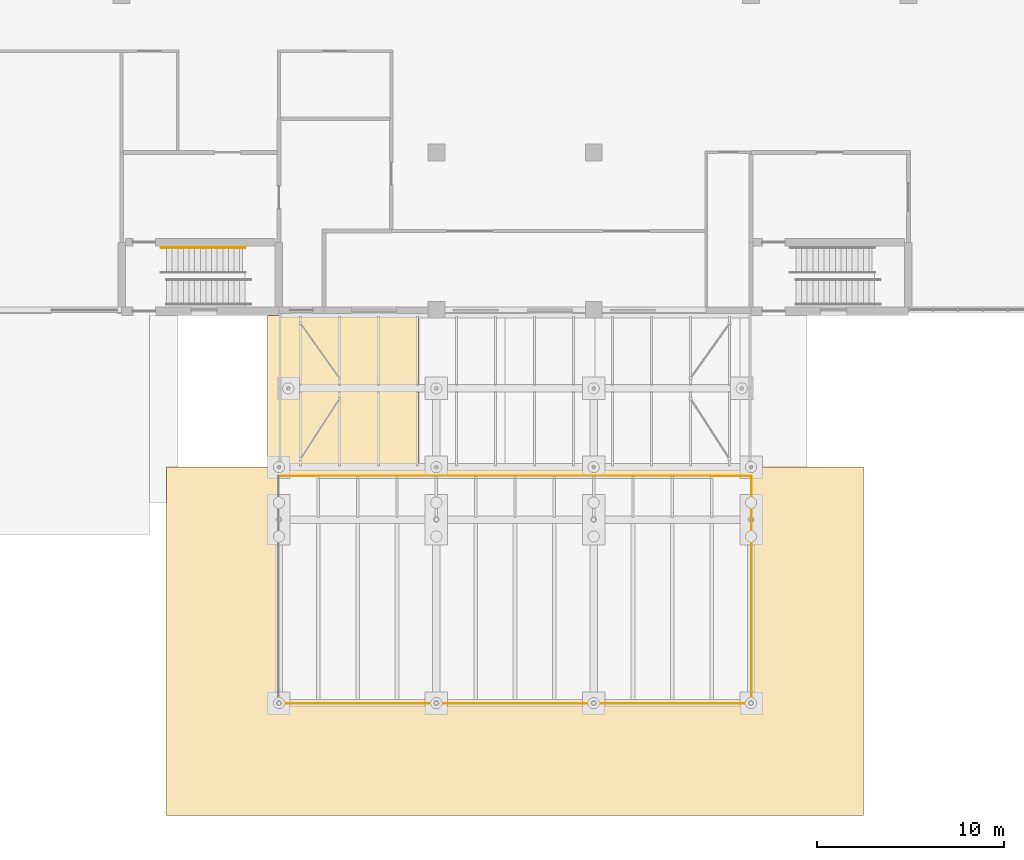
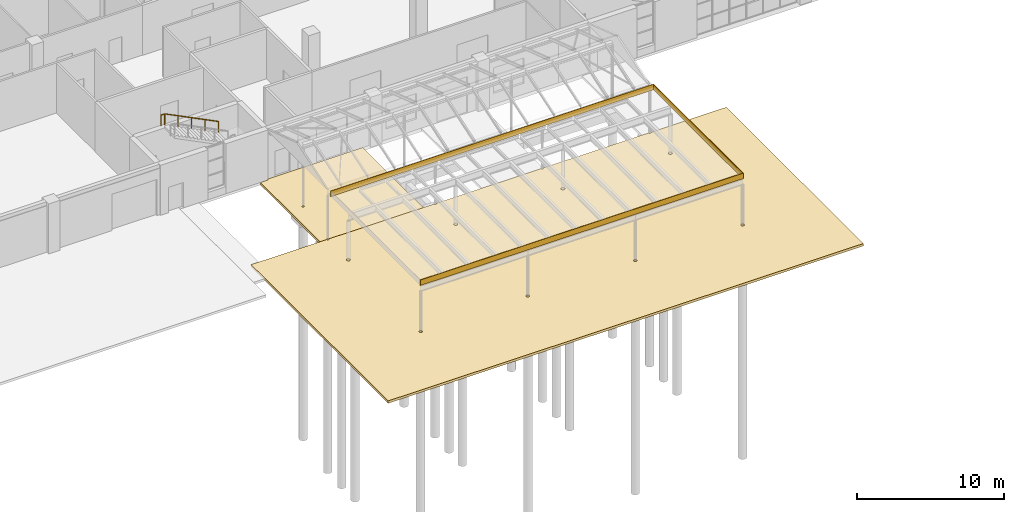
# One storey, part 132 of 138: 5 coverings, 1 railing.
"""IFC4 building model written with IfcOpenShell, lengths in metres."""

from ifc_helpers import new_model, si_unit, direction, frame, origin, origin_2d, place, context, subcontext, project, spatial, polyline, circle, outline, extrude, material, layer, layer_set, type_object, element, save


model = new_model("IFC4")

# Units and contexts
model_context = context("Model", 3, precision=1e-05, world=origin(), true_north=direction((0.0, 1.0)))
body_context = subcontext(model_context, "Body", "Model", "MODEL_VIEW")
ifc_project = project(units=[si_unit("LENGTHUNIT", "METRE"), si_unit("AREAUNIT", "SQUARE_METRE"), si_unit("VOLUMEUNIT", "CUBIC_METRE"), si_unit("PLANEANGLEUNIT", "RADIAN"), si_unit("MASSUNIT", "GRAM", prefix="KILO")], contexts=[model_context])

# Site, building, storey
site_placement = place(None, origin())
site = spatial("IfcSite", under=ifc_project, at=site_placement, CompositionType="ELEMENT")
building_placement = place(site_placement, origin())
building = spatial("IfcBuilding", under=site, at=building_placement, Name="Yavir Park General Hospital", CompositionType="ELEMENT")
storey_placement = place(building_placement, origin())
storey = spatial("IfcBuildingStorey", under=building, at=storey_placement, Name="L00", CompositionType="ELEMENT", Elevation=0.0)

# Coverings
ifc_material_1 = material(Name="Aluminium composite cladding", Category="aluminium")
ifc_layer_1 = layer(ifc_material_1, 0.0400390625)
ifc_layer_set_1 = layer_set([ifc_layer_1], Name="Aluminium composite cladding")
covering_type_1 = type_object("IfcCoveringType", Name="Canopy fascia 40", PredefinedType="CLADDING", material=ifc_layer_set_1)
covering_1_placement = place(storey_placement, frame((0.0, 0.0, 3.85009765625)))
element("IfcCovering", 1, at=covering_1_placement, inside=storey, type_object=covering_type_1, Name="Canopy fascia DROP S", PredefinedType="CLADDING", context=body_context, shape_type="SweptSolid", body=[
    extrude(outline(polyline([(75.56005859375, -21.0400390625), (100.840087890625, -21.0400390625), (100.840087890625, -21.0), (75.56005859375, -21.0), (75.56005859375, -21.0400390625)])), origin(), (0.0, 0.0, 1.0), 0.449951171875),
])
covering_2_placement = place(storey_placement, frame((0.0, 0.0, 3.85009765625)))
element("IfcCovering", 2, at=covering_2_placement, inside=storey, type_object=covering_type_1, Name="Canopy fascia DROP N", PredefinedType="CLADDING", context=body_context, shape_type="SweptSolid", body=[
    extrude(outline(polyline([(75.56005859375, -8.89990234375), (100.840087890625, -8.89990234375), (100.840087890625, -8.860107421875), (75.56005859375, -8.860107421875), (75.56005859375, -8.89990234375)])), origin(), (0.0, 0.0, 1.0), 0.449951171875),
])
covering_3_placement = place(storey_placement, frame((0.0, 0.0, 3.85009765625)))
element("IfcCovering", 3, at=covering_3_placement, inside=storey, type_object=covering_type_1, Name="Canopy fascia DROP E", PredefinedType="CLADDING", context=body_context, shape_type="SweptSolid", body=[
    extrude(outline(polyline([(100.800048828125, -21.0), (100.840087890625, -21.0), (100.840087890625, -8.89990234375), (100.800048828125, -8.89990234375), (100.800048828125, -21.0)])), origin(), (0.0, 0.0, 1.0), 0.449951171875),
])
ifc_material_2 = material(Name="Precast paving flags on a compacted sub-base", Category="concrete")
ifc_layer_2 = layer(ifc_material_2, 0.199951171875)
ifc_layer_set_2 = layer_set([ifc_layer_2], Name="Precast paving flags on a compacted sub-base")
covering_type_2 = type_object("IfcCoveringType", Name="External paving 200", PredefinedType="FLOORING", material=ifc_layer_set_2)
covering_4_placement = place(storey_placement, frame((0.0, 0.0, -0.199951171875)))
element("IfcCovering", 4, at=covering_4_placement, inside=storey, type_object=covering_type_2, Name="Apron DO under the drop-off canopy", PredefinedType="FLOORING", context=body_context, shape_type="SweptSolid", body=[
    extrude(outline(polyline([(69.60009765625, -27.0), (69.60009765625, -8.39990234375), (75.515869140625, -8.39990234375), (75.516357421875, -8.408203125), (75.517578125, -8.41650390625), (75.51953125, -8.42431640625), (75.522216796875, -8.43212890625), (75.52587890625, -8.439697265625), (75.530029296875, -8.44677734375), (75.534912109375, -8.453369140625), (75.54052734375, -8.45947265625), (75.546630859375, -8.465087890625), (75.55322265625, -8.469970703125), (75.560302734375, -8.47412109375), (75.56787109375, -8.477783203125), (75.57568359375, -8.48046875), (75.58349609375, -8.482421875), (75.591796875, -8.483642578125), (75.60009765625, -8.484130859375), (75.608154296875, -8.483642578125), (75.616455078125, -8.482421875), (75.62451171875, -8.48046875), (75.632080078125, -8.477783203125), (75.6396484375, -8.47412109375), (75.646728515625, -8.469970703125), (75.6533203125, -8.465087890625), (75.659423828125, -8.45947265625), (75.6650390625, -8.453369140625), (75.669921875, -8.44677734375), (75.67431640625, -8.439697265625), (75.677734375, -8.43212890625), (75.680419921875, -8.42431640625), (75.6826171875, -8.41650390625), (75.68359375, -8.408203125), (75.68408203125, -8.39990234375), (83.916015625, -8.39990234375), (83.916259765625, -8.408203125), (83.91748046875, -8.41650390625), (83.91943359375, -8.42431640625), (83.92236328125, -8.43212890625), (83.92578125, -8.439697265625), (83.929931640625, -8.44677734375), (83.93505859375, -8.453369140625), (83.9404296875, -8.45947265625), (83.946533203125, -8.465087890625), (83.953125, -8.469970703125), (83.960205078125, -8.47412109375), (83.9677734375, -8.477783203125), (83.9755859375, -8.48046875), (83.983642578125, -8.482421875), (83.99169921875, -8.483642578125), (84.0, -8.484130859375), (84.00830078125, -8.483642578125), (84.016357421875, -8.482421875), (84.0244140625, -8.48046875), (84.0322265625, -8.477783203125), (84.039794921875, -8.47412109375), (84.046875, -8.469970703125), (84.053466796875, -8.465087890625), (84.0595703125, -8.45947265625), (84.06494140625, -8.453369140625), (84.070068359375, -8.44677734375), (84.07421875, -8.439697265625), (84.07763671875, -8.43212890625), (84.08056640625, -8.42431640625), (84.08251953125, -8.41650390625), (84.083740234375, -8.408203125), (84.083984375, -8.39990234375), (92.31591796875, -8.39990234375), (92.31640625, -8.408203125), (92.3173828125, -8.41650390625), (92.319580078125, -8.42431640625), (92.322265625, -8.43212890625), (92.32568359375, -8.439697265625), (92.330078125, -8.44677734375), (92.3349609375, -8.453369140625), (92.340576171875, -8.45947265625), (92.3466796875, -8.465087890625), (92.353271484375, -8.469970703125), (92.3603515625, -8.47412109375), (92.367919921875, -8.477783203125), (92.37548828125, -8.48046875), (92.383544921875, -8.482421875), (92.391845703125, -8.483642578125), (92.39990234375, -8.484130859375), (92.408203125, -8.483642578125), (92.41650390625, -8.482421875), (92.42431640625, -8.48046875), (92.43212890625, -8.477783203125), (92.439697265625, -8.47412109375), (92.44677734375, -8.469970703125), (92.453369140625, -8.465087890625), (92.45947265625, -8.45947265625), (92.465087890625, -8.453369140625), (92.469970703125, -8.44677734375), (92.47412109375, -8.439697265625), (92.477783203125, -8.43212890625), (92.48046875, -8.42431640625), (92.482421875, -8.41650390625), (92.483642578125, -8.408203125), (92.484130859375, -8.39990234375), (100.7158203125, -8.39990234375), (100.71630859375, -8.408203125), (100.717529296875, -8.41650390625), (100.719482421875, -8.42431640625), (100.722412109375, -8.43212890625), (100.725830078125, -8.439697265625), (100.72998046875, -8.44677734375), (100.735107421875, -8.453369140625), (100.740478515625, -8.45947265625), (100.74658203125, -8.465087890625), (100.753173828125, -8.469970703125), (100.76025390625, -8.47412109375), (100.767822265625, -8.477783203125), (100.775634765625, -8.48046875), (100.78369140625, -8.482421875), (100.791748046875, -8.483642578125), (100.800048828125, -8.484130859375), (100.80810546875, -8.483642578125), (100.81640625, -8.482421875), (100.824462890625, -8.48046875), (100.832275390625, -8.477783203125), (100.839599609375, -8.47412109375), (100.8466796875, -8.469970703125), (100.853515625, -8.465087890625), (100.859619140625, -8.45947265625), (100.864990234375, -8.453369140625), (100.8701171875, -8.44677734375), (100.874267578125, -8.439697265625), (100.877685546875, -8.43212890625), (100.880615234375, -8.42431640625), (100.882568359375, -8.41650390625), (100.8837890625, -8.408203125), (100.884033203125, -8.39990234375), (106.800048828125, -8.39990234375), (106.800048828125, -27.0), (69.60009765625, -27.0)]), holes=[polyline([(84.119873046875, -21.023681640625), (84.12158203125, -21.011962890625), (84.122314453125, -21.0), (84.12158203125, -20.988037109375), (84.119873046875, -20.976318359375), (84.116943359375, -20.964599609375), (84.11279296875, -20.953125), (84.10791015625, -20.9423828125), (84.1015625, -20.93212890625), (84.094482421875, -20.92236328125), (84.08642578125, -20.91357421875), (84.07763671875, -20.905517578125), (84.06787109375, -20.8984375), (84.0576171875, -20.89208984375), (84.046875, -20.88720703125), (84.035400390625, -20.883056640625), (84.023681640625, -20.880126953125), (84.011962890625, -20.87841796875), (84.0, -20.877685546875), (83.988037109375, -20.87841796875), (83.976318359375, -20.880126953125), (83.964599609375, -20.883056640625), (83.953125, -20.88720703125), (83.9423828125, -20.89208984375), (83.93212890625, -20.8984375), (83.92236328125, -20.905517578125), (83.91357421875, -20.91357421875), (83.905517578125, -20.92236328125), (83.8984375, -20.93212890625), (83.89208984375, -20.9423828125), (83.88720703125, -20.953125), (83.883056640625, -20.964599609375), (83.880126953125, -20.976318359375), (83.87841796875, -20.988037109375), (83.877685546875, -21.0), (83.87841796875, -21.011962890625), (83.880126953125, -21.023681640625), (83.883056640625, -21.035400390625), (83.88720703125, -21.046875), (83.89208984375, -21.0576171875), (83.8984375, -21.06787109375), (83.905517578125, -21.07763671875), (83.91357421875, -21.08642578125), (83.92236328125, -21.094482421875), (83.93212890625, -21.1015625), (83.9423828125, -21.10791015625), (83.953125, -21.11279296875), (83.964599609375, -21.116943359375), (83.976318359375, -21.119873046875), (83.988037109375, -21.12158203125), (84.0, -21.122314453125), (84.011962890625, -21.12158203125), (84.023681640625, -21.119873046875), (84.035400390625, -21.116943359375), (84.046875, -21.11279296875), (84.0576171875, -21.10791015625), (84.06787109375, -21.1015625), (84.07763671875, -21.094482421875), (84.08642578125, -21.08642578125), (84.094482421875, -21.07763671875), (84.1015625, -21.06787109375), (84.10791015625, -21.0576171875), (84.11279296875, -21.046875), (84.116943359375, -21.035400390625), (84.119873046875, -21.023681640625)]), polyline([(75.717041015625, -21.035400390625), (75.719970703125, -21.023681640625), (75.7216796875, -21.011962890625), (75.72216796875, -21.0), (75.7216796875, -20.988037109375), (75.719970703125, -20.976318359375), (75.717041015625, -20.964599609375), (75.712890625, -20.953125), (75.707763671875, -20.9423828125), (75.70166015625, -20.93212890625), (75.694580078125, -20.92236328125), (75.686279296875, -20.91357421875), (75.677490234375, -20.905517578125), (75.66796875, -20.8984375), (75.65771484375, -20.89208984375), (75.646728515625, -20.88720703125), (75.635498046875, -20.883056640625), (75.623779296875, -20.880126953125), (75.612060546875, -20.87841796875), (75.60009765625, -20.877685546875), (75.587890625, -20.87841796875), (75.576171875, -20.880126953125), (75.564453125, -20.883056640625), (75.55322265625, -20.88720703125), (75.54248046875, -20.89208984375), (75.531982421875, -20.8984375), (75.5224609375, -20.905517578125), (75.513671875, -20.91357421875), (75.505615234375, -20.92236328125), (75.498291015625, -20.93212890625), (75.4921875, -20.9423828125), (75.487060546875, -20.953125), (75.48291015625, -20.964599609375), (75.47998046875, -20.976318359375), (75.478271484375, -20.988037109375), (75.477783203125, -21.0), (75.478271484375, -21.011962890625), (75.47998046875, -21.023681640625), (75.48291015625, -21.035400390625), (75.487060546875, -21.046875), (75.4921875, -21.0576171875), (75.498291015625, -21.06787109375), (75.505615234375, -21.07763671875), (75.513671875, -21.08642578125), (75.5224609375, -21.094482421875), (75.531982421875, -21.1015625), (75.54248046875, -21.10791015625), (75.55322265625, -21.11279296875), (75.564453125, -21.116943359375), (75.576171875, -21.119873046875), (75.587890625, -21.12158203125), (75.60009765625, -21.122314453125), (75.612060546875, -21.12158203125), (75.623779296875, -21.119873046875), (75.635498046875, -21.116943359375), (75.646728515625, -21.11279296875), (75.65771484375, -21.10791015625), (75.66796875, -21.1015625), (75.677490234375, -21.094482421875), (75.686279296875, -21.08642578125), (75.694580078125, -21.07763671875), (75.70166015625, -21.06787109375), (75.707763671875, -21.0576171875), (75.712890625, -21.046875), (75.717041015625, -21.035400390625)]), polyline([(84.130615234375, -11.239501953125), (84.1337890625, -11.2265625), (84.1357421875, -11.21337890625), (84.136474609375, -11.199951171875), (84.1357421875, -11.1865234375), (84.1337890625, -11.17333984375), (84.130615234375, -11.160400390625), (84.126220703125, -11.147705078125), (84.120361328125, -11.1357421875), (84.113525390625, -11.124267578125), (84.10546875, -11.11328125), (84.096435546875, -11.103515625), (84.086669921875, -11.094482421875), (84.07568359375, -11.08642578125), (84.064208984375, -11.07958984375), (84.05224609375, -11.073974609375), (84.03955078125, -11.0693359375), (84.026611328125, -11.066162109375), (84.013427734375, -11.064208984375), (84.0, -11.0634765625), (83.986572265625, -11.064208984375), (83.973388671875, -11.066162109375), (83.96044921875, -11.0693359375), (83.94775390625, -11.073974609375), (83.935791015625, -11.07958984375), (83.92431640625, -11.08642578125), (83.913330078125, -11.094482421875), (83.903564453125, -11.103515625), (83.89453125, -11.11328125), (83.886474609375, -11.124267578125), (83.879638671875, -11.1357421875), (83.873779296875, -11.147705078125), (83.869384765625, -11.160400390625), (83.8662109375, -11.17333984375), (83.8642578125, -11.1865234375), (83.863525390625, -11.199951171875), (83.8642578125, -11.21337890625), (83.8662109375, -11.2265625), (83.869384765625, -11.239501953125), (83.873779296875, -11.252197265625), (83.879638671875, -11.264404296875), (83.886474609375, -11.27587890625), (83.89453125, -11.28662109375), (83.903564453125, -11.29638671875), (83.913330078125, -11.305419921875), (83.92431640625, -11.3134765625), (83.935791015625, -11.3203125), (83.94775390625, -11.326171875), (83.96044921875, -11.33056640625), (83.973388671875, -11.333984375), (83.986572265625, -11.335693359375), (84.0, -11.33642578125), (84.013427734375, -11.335693359375), (84.026611328125, -11.333984375), (84.03955078125, -11.33056640625), (84.05224609375, -11.326171875), (84.064208984375, -11.3203125), (84.07568359375, -11.3134765625), (84.086669921875, -11.305419921875), (84.096435546875, -11.29638671875), (84.10546875, -11.28662109375), (84.113525390625, -11.27587890625), (84.120361328125, -11.264404296875), (84.126220703125, -11.252197265625), (84.130615234375, -11.239501953125)]), polyline([(75.73388671875, -11.2265625), (75.73583984375, -11.21337890625), (75.736572265625, -11.199951171875), (75.73583984375, -11.1865234375), (75.73388671875, -11.17333984375), (75.730712890625, -11.160400390625), (75.72607421875, -11.147705078125), (75.720458984375, -11.1357421875), (75.71337890625, -11.124267578125), (75.70556640625, -11.11328125), (75.696533203125, -11.103515625), (75.6865234375, -11.094482421875), (75.67578125, -11.08642578125), (75.664306640625, -11.07958984375), (75.652099609375, -11.073974609375), (75.6396484375, -11.0693359375), (75.626708984375, -11.066162109375), (75.61328125, -11.064208984375), (75.60009765625, -11.0634765625), (75.586669921875, -11.064208984375), (75.573486328125, -11.066162109375), (75.560302734375, -11.0693359375), (75.5478515625, -11.073974609375), (75.53564453125, -11.07958984375), (75.524169921875, -11.08642578125), (75.513427734375, -11.094482421875), (75.50341796875, -11.103515625), (75.494384765625, -11.11328125), (75.486572265625, -11.124267578125), (75.4794921875, -11.1357421875), (75.473876953125, -11.147705078125), (75.469482421875, -11.160400390625), (75.466064453125, -11.17333984375), (75.464111328125, -11.1865234375), (75.46337890625, -11.199951171875), (75.464111328125, -11.21337890625), (75.466064453125, -11.2265625), (75.469482421875, -11.239501953125), (75.473876953125, -11.252197265625), (75.4794921875, -11.264404296875), (75.486572265625, -11.27587890625), (75.494384765625, -11.28662109375), (75.50341796875, -11.29638671875), (75.513427734375, -11.305419921875), (75.524169921875, -11.3134765625), (75.53564453125, -11.3203125), (75.5478515625, -11.326171875), (75.560302734375, -11.33056640625), (75.573486328125, -11.333984375), (75.586669921875, -11.335693359375), (75.60009765625, -11.33642578125), (75.61328125, -11.335693359375), (75.626708984375, -11.333984375), (75.6396484375, -11.33056640625), (75.652099609375, -11.326171875), (75.664306640625, -11.3203125), (75.67578125, -11.3134765625), (75.6865234375, -11.305419921875), (75.696533203125, -11.29638671875), (75.70556640625, -11.28662109375), (75.71337890625, -11.27587890625), (75.720458984375, -11.264404296875), (75.72607421875, -11.252197265625), (75.730712890625, -11.239501953125), (75.73388671875, -11.2265625)]), polyline([(92.51708984375, -21.035400390625), (92.52001953125, -21.023681640625), (92.521728515625, -21.011962890625), (92.522216796875, -21.0), (92.521728515625, -20.988037109375), (92.52001953125, -20.976318359375), (92.51708984375, -20.964599609375), (92.512939453125, -20.953125), (92.5078125, -20.9423828125), (92.501708984375, -20.93212890625), (92.494384765625, -20.92236328125), (92.486328125, -20.91357421875), (92.4775390625, -20.905517578125), (92.468017578125, -20.8984375), (92.45751953125, -20.89208984375), (92.44677734375, -20.88720703125), (92.435546875, -20.883056640625), (92.423828125, -20.880126953125), (92.412109375, -20.87841796875), (92.39990234375, -20.877685546875), (92.387939453125, -20.87841796875), (92.376220703125, -20.880126953125), (92.364501953125, -20.883056640625), (92.353271484375, -20.88720703125), (92.34228515625, -20.89208984375), (92.33203125, -20.8984375), (92.322509765625, -20.905517578125), (92.313720703125, -20.91357421875), (92.305419921875, -20.92236328125), (92.29833984375, -20.93212890625), (92.292236328125, -20.9423828125), (92.287109375, -20.953125), (92.282958984375, -20.964599609375), (92.280029296875, -20.976318359375), (92.2783203125, -20.988037109375), (92.27783203125, -21.0), (92.2783203125, -21.011962890625), (92.280029296875, -21.023681640625), (92.282958984375, -21.035400390625), (92.287109375, -21.046875), (92.292236328125, -21.0576171875), (92.29833984375, -21.06787109375), (92.305419921875, -21.07763671875), (92.313720703125, -21.08642578125), (92.322509765625, -21.094482421875), (92.33203125, -21.1015625), (92.34228515625, -21.10791015625), (92.353271484375, -21.11279296875), (92.364501953125, -21.116943359375), (92.376220703125, -21.119873046875), (92.387939453125, -21.12158203125), (92.39990234375, -21.122314453125), (92.412109375, -21.12158203125), (92.423828125, -21.119873046875), (92.435546875, -21.116943359375), (92.44677734375, -21.11279296875), (92.45751953125, -21.10791015625), (92.468017578125, -21.1015625), (92.4775390625, -21.094482421875), (92.486328125, -21.08642578125), (92.494384765625, -21.07763671875), (92.501708984375, -21.06787109375), (92.5078125, -21.0576171875), (92.512939453125, -21.046875), (92.51708984375, -21.035400390625)]), polyline([(100.919921875, -21.023681640625), (100.921630859375, -21.011962890625), (100.922119140625, -21.0), (100.921630859375, -20.988037109375), (100.919921875, -20.976318359375), (100.9169921875, -20.964599609375), (100.912841796875, -20.953125), (100.90771484375, -20.9423828125), (100.901611328125, -20.93212890625), (100.89453125, -20.92236328125), (100.886474609375, -20.91357421875), (100.877685546875, -20.905517578125), (100.867919921875, -20.8984375), (100.857666015625, -20.89208984375), (100.8466796875, -20.88720703125), (100.83544921875, -20.883056640625), (100.82373046875, -20.880126953125), (100.81201171875, -20.87841796875), (100.800048828125, -20.877685546875), (100.7880859375, -20.87841796875), (100.776123046875, -20.880126953125), (100.764404296875, -20.883056640625), (100.753173828125, -20.88720703125), (100.742431640625, -20.89208984375), (100.732177734375, -20.8984375), (100.722412109375, -20.905517578125), (100.713623046875, -20.91357421875), (100.70556640625, -20.92236328125), (100.698486328125, -20.93212890625), (100.692138671875, -20.9423828125), (100.68701171875, -20.953125), (100.68310546875, -20.964599609375), (100.68017578125, -20.976318359375), (100.67822265625, -20.988037109375), (100.677734375, -21.0), (100.67822265625, -21.011962890625), (100.68017578125, -21.023681640625), (100.68310546875, -21.035400390625), (100.68701171875, -21.046875), (100.692138671875, -21.0576171875), (100.698486328125, -21.06787109375), (100.70556640625, -21.07763671875), (100.713623046875, -21.08642578125), (100.722412109375, -21.094482421875), (100.732177734375, -21.1015625), (100.742431640625, -21.10791015625), (100.753173828125, -21.11279296875), (100.764404296875, -21.116943359375), (100.776123046875, -21.119873046875), (100.7880859375, -21.12158203125), (100.800048828125, -21.122314453125), (100.81201171875, -21.12158203125), (100.82373046875, -21.119873046875), (100.83544921875, -21.116943359375), (100.8466796875, -21.11279296875), (100.857666015625, -21.10791015625), (100.867919921875, -21.1015625), (100.877685546875, -21.094482421875), (100.886474609375, -21.08642578125), (100.89453125, -21.07763671875), (100.901611328125, -21.06787109375), (100.90771484375, -21.0576171875), (100.912841796875, -21.046875), (100.9169921875, -21.035400390625), (100.919921875, -21.023681640625)]), polyline([(100.9306640625, -11.239501953125), (100.933837890625, -11.2265625), (100.935791015625, -11.21337890625), (100.9365234375, -11.199951171875), (100.935791015625, -11.1865234375), (100.933837890625, -11.17333984375), (100.9306640625, -11.160400390625), (100.926025390625, -11.147705078125), (100.92041015625, -11.1357421875), (100.91357421875, -11.124267578125), (100.905517578125, -11.11328125), (100.896484375, -11.103515625), (100.88671875, -11.094482421875), (100.875732421875, -11.08642578125), (100.8642578125, -11.07958984375), (100.852294921875, -11.073974609375), (100.839599609375, -11.0693359375), (100.82666015625, -11.066162109375), (100.8134765625, -11.064208984375), (100.800048828125, -11.0634765625), (100.78662109375, -11.064208984375), (100.7734375, -11.066162109375), (100.760498046875, -11.0693359375), (100.747802734375, -11.073974609375), (100.735595703125, -11.07958984375), (100.72412109375, -11.08642578125), (100.71337890625, -11.094482421875), (100.70361328125, -11.103515625), (100.694580078125, -11.11328125), (100.6865234375, -11.124267578125), (100.6796875, -11.1357421875), (100.673828125, -11.147705078125), (100.66943359375, -11.160400390625), (100.666015625, -11.17333984375), (100.664306640625, -11.1865234375), (100.66357421875, -11.199951171875), (100.664306640625, -11.21337890625), (100.666015625, -11.2265625), (100.66943359375, -11.239501953125), (100.673828125, -11.252197265625), (100.6796875, -11.264404296875), (100.6865234375, -11.27587890625), (100.694580078125, -11.28662109375), (100.70361328125, -11.29638671875), (100.71337890625, -11.305419921875), (100.72412109375, -11.3134765625), (100.735595703125, -11.3203125), (100.747802734375, -11.326171875), (100.760498046875, -11.33056640625), (100.7734375, -11.333984375), (100.78662109375, -11.335693359375), (100.800048828125, -11.33642578125), (100.8134765625, -11.335693359375), (100.82666015625, -11.333984375), (100.839599609375, -11.33056640625), (100.852294921875, -11.326171875), (100.8642578125, -11.3203125), (100.875732421875, -11.3134765625), (100.88671875, -11.305419921875), (100.896484375, -11.29638671875), (100.905517578125, -11.28662109375), (100.91357421875, -11.27587890625), (100.92041015625, -11.264404296875), (100.926025390625, -11.252197265625), (100.9306640625, -11.239501953125)]), polyline([(92.530517578125, -11.239501953125), (92.533935546875, -11.2265625), (92.535888671875, -11.21337890625), (92.53662109375, -11.199951171875), (92.535888671875, -11.1865234375), (92.533935546875, -11.17333984375), (92.530517578125, -11.160400390625), (92.526123046875, -11.147705078125), (92.5205078125, -11.1357421875), (92.513427734375, -11.124267578125), (92.505615234375, -11.11328125), (92.49658203125, -11.103515625), (92.486572265625, -11.094482421875), (92.475830078125, -11.08642578125), (92.46435546875, -11.07958984375), (92.4521484375, -11.073974609375), (92.439697265625, -11.0693359375), (92.426513671875, -11.066162109375), (92.413330078125, -11.064208984375), (92.39990234375, -11.0634765625), (92.38671875, -11.064208984375), (92.373291015625, -11.066162109375), (92.3603515625, -11.0693359375), (92.347900390625, -11.073974609375), (92.335693359375, -11.07958984375), (92.32421875, -11.08642578125), (92.3134765625, -11.094482421875), (92.303466796875, -11.103515625), (92.29443359375, -11.11328125), (92.28662109375, -11.124267578125), (92.279541015625, -11.1357421875), (92.27392578125, -11.147705078125), (92.269287109375, -11.160400390625), (92.26611328125, -11.17333984375), (92.26416015625, -11.1865234375), (92.263427734375, -11.199951171875), (92.26416015625, -11.21337890625), (92.26611328125, -11.2265625), (92.269287109375, -11.239501953125), (92.27392578125, -11.252197265625), (92.279541015625, -11.264404296875), (92.28662109375, -11.27587890625), (92.29443359375, -11.28662109375), (92.303466796875, -11.29638671875), (92.3134765625, -11.305419921875), (92.32421875, -11.3134765625), (92.335693359375, -11.3203125), (92.347900390625, -11.326171875), (92.3603515625, -11.33056640625), (92.373291015625, -11.333984375), (92.38671875, -11.335693359375), (92.39990234375, -11.33642578125), (92.413330078125, -11.335693359375), (92.426513671875, -11.333984375), (92.439697265625, -11.33056640625), (92.4521484375, -11.326171875), (92.46435546875, -11.3203125), (92.475830078125, -11.3134765625), (92.486572265625, -11.305419921875), (92.49658203125, -11.29638671875), (92.505615234375, -11.28662109375), (92.513427734375, -11.27587890625), (92.5205078125, -11.264404296875), (92.526123046875, -11.252197265625), (92.530517578125, -11.239501953125)])]), origin(), (0.0, 0.0, 1.0), 0.199951171875),
])
covering_5_placement = place(storey_placement, frame((0.0, 0.0, -0.199951171875)))
element("IfcCovering", 5, at=covering_5_placement, inside=storey, type_object=covering_type_2, Name="Entrance paving south 1", PredefinedType="FLOORING", context=body_context, shape_type="SweptSolid", body=[
    extrude(outline(polyline([(75.591796875, -8.31640625), (75.58349609375, -8.3173828125), (75.57568359375, -8.319580078125), (75.56787109375, -8.322265625), (75.560302734375, -8.32568359375), (75.55322265625, -8.330078125), (75.546630859375, -8.3349609375), (75.54052734375, -8.340576171875), (75.534912109375, -8.3466796875), (75.530029296875, -8.353271484375), (75.52587890625, -8.3603515625), (75.522216796875, -8.367919921875), (75.51953125, -8.37548828125), (75.517578125, -8.383544921875), (75.516357421875, -8.391845703125), (75.515869140625, -8.39990234375), (75.0, -8.39990234375), (75.0, -0.300048828125), (75.60009765625, -0.300048828125), (75.60009765625, -0.199951171875), (83.074951171875, -0.199951171875), (83.074951171875, -8.39990234375), (75.68408203125, -8.39990234375), (75.68359375, -8.391845703125), (75.6826171875, -8.383544921875), (75.680419921875, -8.37548828125), (75.677734375, -8.367919921875), (75.67431640625, -8.3603515625), (75.669921875, -8.353271484375), (75.6650390625, -8.3466796875), (75.659423828125, -8.340576171875), (75.6533203125, -8.3349609375), (75.646728515625, -8.330078125), (75.6396484375, -8.32568359375), (75.632080078125, -8.322265625), (75.62451171875, -8.319580078125), (75.616455078125, -8.3173828125), (75.608154296875, -8.31640625), (75.60009765625, -8.31591796875), (75.591796875, -8.31640625)]), holes=[polyline([(76.10009765625, -4.115966796875), (76.091796875, -4.1162109375), (76.08349609375, -4.117431640625), (76.07568359375, -4.119384765625), (76.06787109375, -4.122314453125), (76.060302734375, -4.125732421875), (76.05322265625, -4.1298828125), (76.046630859375, -4.135009765625), (76.04052734375, -4.140380859375), (76.034912109375, -4.146484375), (76.030029296875, -4.1533203125), (76.02587890625, -4.160400390625), (76.022216796875, -4.167724609375), (76.01953125, -4.175537109375), (76.017578125, -4.18359375), (76.016357421875, -4.19189453125), (76.015869140625, -4.199951171875), (76.016357421875, -4.208251953125), (76.017578125, -4.21630859375), (76.01953125, -4.224365234375), (76.022216796875, -4.232177734375), (76.02587890625, -4.23974609375), (76.030029296875, -4.246826171875), (76.034912109375, -4.25341796875), (76.04052734375, -4.259521484375), (76.046630859375, -4.264892578125), (76.05322265625, -4.27001953125), (76.060302734375, -4.274169921875), (76.06787109375, -4.277587890625), (76.07568359375, -4.280517578125), (76.08349609375, -4.282470703125), (76.091796875, -4.28369140625), (76.10009765625, -4.2841796875), (76.108154296875, -4.28369140625), (76.116455078125, -4.282470703125), (76.12451171875, -4.280517578125), (76.132080078125, -4.277587890625), (76.1396484375, -4.274169921875), (76.146728515625, -4.27001953125), (76.1533203125, -4.264892578125), (76.159423828125, -4.259521484375), (76.1650390625, -4.25341796875), (76.169921875, -4.246826171875), (76.17431640625, -4.23974609375), (76.177734375, -4.232177734375), (76.180419921875, -4.224365234375), (76.1826171875, -4.21630859375), (76.18359375, -4.208251953125), (76.18408203125, -4.199951171875), (76.18359375, -4.19189453125), (76.1826171875, -4.18359375), (76.180419921875, -4.175537109375), (76.177734375, -4.167724609375), (76.17431640625, -4.160400390625), (76.169921875, -4.1533203125), (76.1650390625, -4.146484375), (76.159423828125, -4.140380859375), (76.1533203125, -4.135009765625), (76.146728515625, -4.1298828125), (76.1396484375, -4.125732421875), (76.132080078125, -4.122314453125), (76.12451171875, -4.119384765625), (76.116455078125, -4.117431640625), (76.108154296875, -4.1162109375), (76.10009765625, -4.115966796875)])]), origin(), (0.0, 0.0, 1.0), 0.199951171875),
])

# Railing
ifc_material_3 = material(Name="Stainless steel tube 48 mm", Category="steel")
railing_type = type_object("IfcRailingType", Name="Stair handrail, steel tube, 900 mm above the nosings", PredefinedType="HANDRAIL", material=ifc_material_3)
railing_placement = place(storey_placement, frame((73.800048828125, 3.31005859375, 2.39990234375)))
element("IfcRailing", 6, at=railing_placement, inside=storey, type_object=railing_type, Name="Handrail SU3 L00 3", PredefinedType="HANDRAIL", context=body_context, shape_type="SweptSolid", body=[
    extrude(circle(Radius=0.02392578125, at=origin_2d()), frame((0.0, 0.0, 0.8759765625), z_axis=(-0.894416792377, 0.0, 0.447234392142), x_axis=(0.0, -1.0, 0.0)), (0.0, 0.0, 1.0), 4.69580078125),
    extrude(circle(Radius=0.02392578125, at=origin_2d()), frame((-4.199951171875, 0.0, 2.97607421875), z_axis=(-1.0, 0.0, 0.0), x_axis=(0.0, -1.0, 0.0)), (0.0, 0.0, 1.0), 0.300048828125),
    extrude(circle(Radius=0.02099609375, at=origin_2d()), origin(), (0.0, 0.0, 1.0), 0.851806640625),
    extrude(circle(Radius=0.02099609375, at=origin_2d()), frame((-1.050048828125, 0.0, 0.52490234375)), (0.0, 0.0, 1.0), 0.851806640625),
    extrude(circle(Radius=0.02099609375, at=origin_2d()), frame((-2.10009765625, 0.0, 1.050048828125)), (0.0, 0.0, 1.0), 0.851806640625),
    extrude(circle(Radius=0.02099609375, at=origin_2d()), frame((-3.14990234375, 0.0, 1.5751953125)), (0.0, 0.0, 1.0), 0.851806640625),
    extrude(circle(Radius=0.02099609375, at=origin_2d()), frame((-4.199951171875, 0.0, 2.10009765625)), (0.0, 0.0, 1.0), 0.851806640625),
    extrude(circle(Radius=0.02099609375, at=origin_2d()), frame((-4.5, 0.0, 2.10009765625)), (0.0, 0.0, 1.0), 0.851806640625),
])

save(model, "model.ifc")
